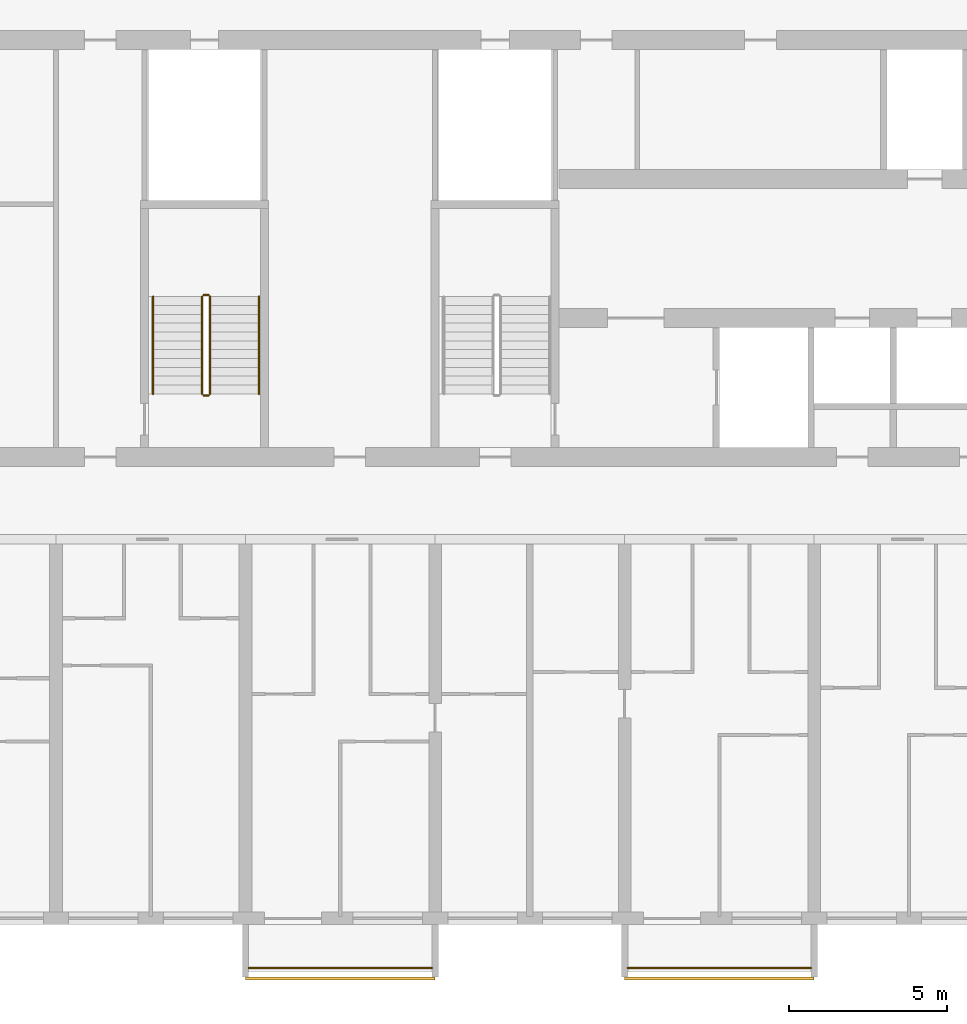
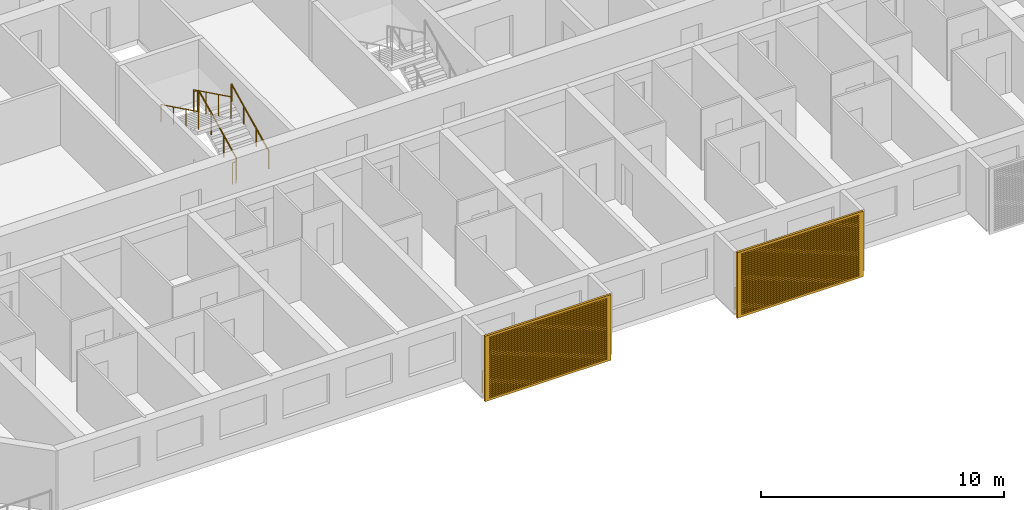
# One storey, part 20 of 23: 8 railings, 2 shading devices.
"""IFC4 building model written with IfcOpenShell, lengths in metres."""

from ifc_helpers import new_model, si_unit, direction, frame, origin, origin_2d, place, context, subcontext, project, spatial, polyline, circle, outline, extrude, source, transform, mapped, material, material_profile, profile_set, type_object, element, save


model = new_model("IFC4")

# Units and contexts
model_context = context("Model", 3, precision=1e-05, world=origin(), true_north=direction((0.0, 1.0)))
body_context = subcontext(model_context, "Body", "Model", "MODEL_VIEW")
ifc_project = project(units=[si_unit("LENGTHUNIT", "METRE"), si_unit("AREAUNIT", "SQUARE_METRE"), si_unit("VOLUMEUNIT", "CUBIC_METRE"), si_unit("PLANEANGLEUNIT", "RADIAN"), si_unit("MASSUNIT", "GRAM", prefix="KILO")], contexts=[model_context])

# Site, building, storey
site_placement = place(None, origin())
site = spatial("IfcSite", under=ifc_project, at=site_placement, CompositionType="ELEMENT")
building_placement = place(site_placement, origin())
building = spatial("IfcBuilding", under=site, at=building_placement, Name="Poui Terraces", CompositionType="ELEMENT")
storey_placement = place(building_placement, frame((0.0, 0.0, 23.39990234375)))
storey = spatial("IfcBuildingStorey", under=building, at=storey_placement, Name="L05", CompositionType="ELEMENT", Elevation=23.39990234375)

# Railings
ifc_material_1 = material(Name="Painted steel fretwork", Category="steel")
railing_type_1 = type_object("IfcRailingType", Name="BALCONY GUARD 1100", PredefinedType="GUARDRAIL", material=ifc_material_1)
for number, where, name in (
    (1, (24.10009765625, -1.570068359375, 0.0), "BALCONY GUARD"),
    (2, (36.10009765625, -1.570068359375, 0.0), "BALCONY GUARD"),
):
    element("IfcRailing", number, at=place(storey_placement, frame(where)), inside=storey, type_object=railing_type_1, Name=name, PredefinedType="GUARDRAIL", context=body_context, shape_type="SweptSolid", body=[
        extrude(circle(Radius=0.02392578125, at=origin_2d()), frame((0.0, 0.0, 1.076171875), z_axis=(1.0, 0.0, 0.0), x_axis=(0.0, 1.0, 0.0)), (0.0, 0.0, 1.0), 5.7998046875),
        extrude(circle(Radius=0.02099609375, at=origin_2d()), origin(), (0.0, 0.0, 1.0), 1.052001953125),
        extrude(circle(Radius=0.02099609375, at=origin_2d()), frame((0.966552734375, 0.0, 0.0)), (0.0, 0.0, 1.0), 1.052001953125),
        extrude(circle(Radius=0.02099609375, at=origin_2d()), frame((1.933349609375, 0.0, 0.0)), (0.0, 0.0, 1.0), 1.052001953125),
        extrude(circle(Radius=0.02099609375, at=origin_2d()), frame((2.89990234375, 0.0, 0.0)), (0.0, 0.0, 1.0), 1.052001953125),
        extrude(circle(Radius=0.02099609375, at=origin_2d()), frame((3.866455078125, 0.0, 0.0)), (0.0, 0.0, 1.0), 1.052001953125),
        extrude(circle(Radius=0.02099609375, at=origin_2d()), frame((4.833251953125, 0.0, 0.0)), (0.0, 0.0, 1.0), 1.052001953125),
        extrude(circle(Radius=0.02099609375, at=origin_2d()), frame((5.7998046875, 0.0, 0.0)), (0.0, 0.0, 1.0), 1.052001953125),
    ])
ifc_material_2 = material(Name="Galvanised steel balustrade", Category="steel")
railing_type_2 = type_object("IfcRailingType", Name="STAIR GUARD 1100", PredefinedType="GUARDRAIL", material=ifc_material_2)
railing_1_placement = place(storey_placement, frame((22.875, 16.60009765625, 0.1376953125)))
element("IfcRailing", 3, at=railing_1_placement, inside=storey, type_object=railing_type_2, Name="L05 ST-W stair guard 1", PredefinedType="GUARDRAIL", context=body_context, shape_type="SweptSolid", body=[
    extrude(circle(Radius=0.02392578125, at=origin_2d()), frame((0.0, 0.0, 1.076171875), z_axis=(0.0, 0.897606190399, 0.440798283751), x_axis=(-1.0, 0.0, 0.0)), (0.0, 0.0, 1.0), 3.43115234375),
    extrude(circle(Radius=0.02099609375, at=origin_2d()), origin(), (0.0, 0.0, 1.0), 1.052001953125),
    extrude(circle(Radius=0.02099609375, at=origin_2d()), frame((0.0, 1.026611328125, 0.504150390625)), (0.0, 0.0, 1.0), 1.052001953125),
    extrude(circle(Radius=0.02099609375, at=origin_2d()), frame((0.0, 2.05322265625, 1.00830078125)), (0.0, 0.0, 1.0), 1.052001953125),
    extrude(circle(Radius=0.02099609375, at=origin_2d()), frame((0.0, 3.079833984375, 1.512451171875)), (0.0, 0.0, 1.0), 1.052001953125),
])
railing_2_placement = place(storey_placement, frame((22.824951171875, 19.72998046875, 1.650146484375)))
element("IfcRailing", 4, at=railing_2_placement, inside=storey, type_object=railing_type_2, Name="L05 ST-W stair guard 2", PredefinedType="GUARDRAIL", context=body_context, shape_type="SweptSolid", body=[
    extrude(circle(Radius=0.02392578125, at=origin_2d()), frame((0.0, 0.0, 1.076171875), z_axis=(-1.0, 0.0, 0.0), x_axis=(0.0, -1.0, 0.0)), (0.0, 0.0, 1.0), 0.14990234375),
    extrude(circle(Radius=0.02099609375, at=origin_2d()), origin(), (0.0, 0.0, 1.0), 1.052001953125),
    extrude(circle(Radius=0.02099609375, at=origin_2d()), frame((-0.14990234375, 0.0, 0.0)), (0.0, 0.0, 1.0), 1.052001953125),
])
railing_3_placement = place(storey_placement, frame((22.625, 19.679931640625, 1.78759765625)))
element("IfcRailing", 5, at=railing_3_placement, inside=storey, type_object=railing_type_2, Name="L05 ST-W stair guard 3", PredefinedType="GUARDRAIL", context=body_context, shape_type="SweptSolid", body=[
    extrude(circle(Radius=0.02392578125, at=origin_2d()), frame((0.0, 0.0, 1.076171875), z_axis=(0.0, -0.897606190399, 0.440798283751), x_axis=(1.0, 0.0, 0.0)), (0.0, 0.0, 1.0), 3.43115234375),
    extrude(circle(Radius=0.02099609375, at=origin_2d()), origin(), (0.0, 0.0, 1.0), 1.052001953125),
    extrude(circle(Radius=0.02099609375, at=origin_2d()), frame((0.0, -1.026611328125, 0.504150390625)), (0.0, 0.0, 1.0), 1.052001953125),
    extrude(circle(Radius=0.02099609375, at=origin_2d()), frame((0.0, -2.05322265625, 1.00830078125)), (0.0, 0.0, 1.0), 1.052001953125),
    extrude(circle(Radius=0.02099609375, at=origin_2d()), frame((0.0, -3.079833984375, 1.512451171875)), (0.0, 0.0, 1.0), 1.052001953125),
])
railing_4_placement = place(storey_placement, frame((22.824951171875, 16.550048828125, 0.0)))
element("IfcRailing", 6, at=railing_4_placement, inside=storey, type_object=railing_type_2, Name="L05 ST-W stair guard 4", PredefinedType="GUARDRAIL", context=body_context, shape_type="SweptSolid", body=[
    extrude(circle(Radius=0.02392578125, at=origin_2d()), frame((0.0, 0.0, 1.076171875), z_axis=(-1.0, 0.0, 0.0), x_axis=(0.0, -1.0, 0.0)), (0.0, 0.0, 1.0), 0.14990234375),
    extrude(circle(Radius=0.02099609375, at=origin_2d()), origin(), (0.0, 0.0, 1.0), 1.052001953125),
    extrude(circle(Radius=0.02099609375, at=origin_2d()), frame((-0.14990234375, 0.0, 0.0)), (0.0, 0.0, 1.0), 1.052001953125),
])
ifc_material_3 = material(Name="Stainless steel handrail", Category="steel")
railing_type_3 = type_object("IfcRailingType", Name="STAIR HANDRAIL 900", PredefinedType="HANDRAIL", material=ifc_material_3)
railing_5_placement = place(storey_placement, frame((24.425048828125, 16.60009765625, 0.1376953125)))
element("IfcRailing", 7, at=railing_5_placement, inside=storey, type_object=railing_type_3, Name="L05 ST-W stair handrail 1", PredefinedType="HANDRAIL", context=body_context, shape_type="SweptSolid", body=[
    extrude(circle(Radius=0.02392578125, at=origin_2d()), frame((0.0, 0.0, 0.8759765625), z_axis=(0.0, 0.897606190399, 0.440798283751), x_axis=(-1.0, 0.0, 0.0)), (0.0, 0.0, 1.0), 3.43115234375),
    extrude(circle(Radius=0.02099609375, at=origin_2d()), origin(), (0.0, 0.0, 1.0), 0.851806640625),
    extrude(circle(Radius=0.02099609375, at=origin_2d()), frame((0.0, 1.026611328125, 0.504150390625)), (0.0, 0.0, 1.0), 0.851806640625),
    extrude(circle(Radius=0.02099609375, at=origin_2d()), frame((0.0, 2.05322265625, 1.00830078125)), (0.0, 0.0, 1.0), 0.851806640625),
    extrude(circle(Radius=0.02099609375, at=origin_2d()), frame((0.0, 3.079833984375, 1.512451171875)), (0.0, 0.0, 1.0), 0.851806640625),
])
railing_6_placement = place(storey_placement, frame((21.074951171875, 19.679931640625, 1.78759765625)))
element("IfcRailing", 8, at=railing_6_placement, inside=storey, type_object=railing_type_3, Name="L05 ST-W stair handrail 2", PredefinedType="HANDRAIL", context=body_context, shape_type="SweptSolid", body=[
    extrude(circle(Radius=0.02392578125, at=origin_2d()), frame((0.0, 0.0, 0.8759765625), z_axis=(0.0, -0.897606190399, 0.440798283751), x_axis=(1.0, 0.0, 0.0)), (0.0, 0.0, 1.0), 3.43115234375),
    extrude(circle(Radius=0.02099609375, at=origin_2d()), origin(), (0.0, 0.0, 1.0), 0.851806640625),
    extrude(circle(Radius=0.02099609375, at=origin_2d()), frame((0.0, -1.026611328125, 0.504150390625)), (0.0, 0.0, 1.0), 0.851806640625),
    extrude(circle(Radius=0.02099609375, at=origin_2d()), frame((0.0, -2.05322265625, 1.00830078125)), (0.0, 0.0, 1.0), 0.851806640625),
    extrude(circle(Radius=0.02099609375, at=origin_2d()), frame((0.0, -3.079833984375, 1.512451171875)), (0.0, 0.0, 1.0), 0.851806640625),
])

# Shading devices
ifc_material_4 = material(Name="Aluminium louvre", Category="aluminium")
ifc_material_profile = material_profile(ifc_material_4, outline(polyline([(-3.0, -1.64990234375), (3.0, -1.64990234375), (3.0, 1.64990234375), (-3.0, 1.64990234375), (-3.0, -1.64990234375)]), holes=[polyline([(-2.800048828125, -1.530029296875), (2.800048828125, -1.530029296875), (2.800048828125, -1.469970703125), (-2.800048828125, -1.469970703125), (-2.800048828125, -1.530029296875)]), polyline([(-2.800048828125, -1.429931640625), (2.800048828125, -1.429931640625), (2.800048828125, -1.3701171875), (-2.800048828125, -1.3701171875), (-2.800048828125, -1.429931640625)]), polyline([(-2.800048828125, -1.330078125), (2.800048828125, -1.330078125), (2.800048828125, -1.27001953125), (-2.800048828125, -1.27001953125), (-2.800048828125, -1.330078125)]), polyline([(-2.800048828125, -1.22998046875), (2.800048828125, -1.22998046875), (2.800048828125, -1.169921875), (-2.800048828125, -1.169921875), (-2.800048828125, -1.22998046875)]), polyline([(-2.800048828125, -1.1298828125), (2.800048828125, -1.1298828125), (2.800048828125, -1.070068359375), (-2.800048828125, -1.070068359375), (-2.800048828125, -1.1298828125)]), polyline([(-2.800048828125, -1.030029296875), (2.800048828125, -1.030029296875), (2.800048828125, -0.969970703125), (-2.800048828125, -0.969970703125), (-2.800048828125, -1.030029296875)]), polyline([(-2.800048828125, -0.929931640625), (2.800048828125, -0.929931640625), (2.800048828125, -0.8701171875), (-2.800048828125, -0.8701171875), (-2.800048828125, -0.929931640625)]), polyline([(-2.800048828125, -0.830078125), (2.800048828125, -0.830078125), (2.800048828125, -0.77001953125), (-2.800048828125, -0.77001953125), (-2.800048828125, -0.830078125)]), polyline([(-2.800048828125, -0.72998046875), (2.800048828125, -0.72998046875), (2.800048828125, -0.669921875), (-2.800048828125, -0.669921875), (-2.800048828125, -0.72998046875)]), polyline([(-2.800048828125, -0.6298828125), (2.800048828125, -0.6298828125), (2.800048828125, -0.570068359375), (-2.800048828125, -0.570068359375), (-2.800048828125, -0.6298828125)]), polyline([(-2.800048828125, -0.530029296875), (2.800048828125, -0.530029296875), (2.800048828125, -0.469970703125), (-2.800048828125, -0.469970703125), (-2.800048828125, -0.530029296875)]), polyline([(-2.800048828125, -0.429931640625), (2.800048828125, -0.429931640625), (2.800048828125, -0.3701171875), (-2.800048828125, -0.3701171875), (-2.800048828125, -0.429931640625)]), polyline([(-2.800048828125, -0.330078125), (2.800048828125, -0.330078125), (2.800048828125, -0.27001953125), (-2.800048828125, -0.27001953125), (-2.800048828125, -0.330078125)]), polyline([(-2.800048828125, -0.22998046875), (2.800048828125, -0.22998046875), (2.800048828125, -0.169921875), (-2.800048828125, -0.169921875), (-2.800048828125, -0.22998046875)]), polyline([(-2.800048828125, -0.1298828125), (2.800048828125, -0.1298828125), (2.800048828125, -0.070068359375), (-2.800048828125, -0.070068359375), (-2.800048828125, -0.1298828125)]), polyline([(-2.800048828125, -0.030029296875), (2.800048828125, -0.030029296875), (2.800048828125, 0.030029296875), (-2.800048828125, 0.030029296875), (-2.800048828125, -0.030029296875)]), polyline([(-2.800048828125, 0.070068359375), (2.800048828125, 0.070068359375), (2.800048828125, 0.1298828125), (-2.800048828125, 0.1298828125), (-2.800048828125, 0.070068359375)]), polyline([(-2.800048828125, 0.169921875), (2.800048828125, 0.169921875), (2.800048828125, 0.22998046875), (-2.800048828125, 0.22998046875), (-2.800048828125, 0.169921875)]), polyline([(-2.800048828125, 0.27001953125), (2.800048828125, 0.27001953125), (2.800048828125, 0.330078125), (-2.800048828125, 0.330078125), (-2.800048828125, 0.27001953125)]), polyline([(-2.800048828125, 0.3701171875), (2.800048828125, 0.3701171875), (2.800048828125, 0.429931640625), (-2.800048828125, 0.429931640625), (-2.800048828125, 0.3701171875)]), polyline([(-2.800048828125, 0.469970703125), (2.800048828125, 0.469970703125), (2.800048828125, 0.530029296875), (-2.800048828125, 0.530029296875), (-2.800048828125, 0.469970703125)]), polyline([(-2.800048828125, 0.570068359375), (2.800048828125, 0.570068359375), (2.800048828125, 0.6298828125), (-2.800048828125, 0.6298828125), (-2.800048828125, 0.570068359375)]), polyline([(-2.800048828125, 0.669921875), (2.800048828125, 0.669921875), (2.800048828125, 0.72998046875), (-2.800048828125, 0.72998046875), (-2.800048828125, 0.669921875)]), polyline([(-2.800048828125, 0.77001953125), (2.800048828125, 0.77001953125), (2.800048828125, 0.830078125), (-2.800048828125, 0.830078125), (-2.800048828125, 0.77001953125)]), polyline([(-2.800048828125, 0.8701171875), (2.800048828125, 0.8701171875), (2.800048828125, 0.929931640625), (-2.800048828125, 0.929931640625), (-2.800048828125, 0.8701171875)]), polyline([(-2.800048828125, 0.969970703125), (2.800048828125, 0.969970703125), (2.800048828125, 1.030029296875), (-2.800048828125, 1.030029296875), (-2.800048828125, 0.969970703125)]), polyline([(-2.800048828125, 1.070068359375), (2.800048828125, 1.070068359375), (2.800048828125, 1.1298828125), (-2.800048828125, 1.1298828125), (-2.800048828125, 1.070068359375)]), polyline([(-2.800048828125, 1.169921875), (2.800048828125, 1.169921875), (2.800048828125, 1.22998046875), (-2.800048828125, 1.22998046875), (-2.800048828125, 1.169921875)]), polyline([(-2.800048828125, 1.27001953125), (2.800048828125, 1.27001953125), (2.800048828125, 1.330078125), (-2.800048828125, 1.330078125), (-2.800048828125, 1.27001953125)]), polyline([(-2.800048828125, 1.3701171875), (2.800048828125, 1.3701171875), (2.800048828125, 1.429931640625), (-2.800048828125, 1.429931640625), (-2.800048828125, 1.3701171875)]), polyline([(-2.800048828125, 1.469970703125), (2.800048828125, 1.469970703125), (2.800048828125, 1.530029296875), (-2.800048828125, 1.530029296875), (-2.800048828125, 1.469970703125)])]), Name="JALOUSIE LOUVRE SHUTTER 6000X3300")
ifc_profile_set = profile_set([ifc_material_profile], Name="Aluminium louvre")
shading_device_type = type_object("IfcShadingDeviceType", Name="JALOUSIE LOUVRE SHUTTER 6000X3300", PredefinedType="JALOUSIE", material=ifc_profile_set)
shared_shape = source(origin(), body_context, "Body", "SweptSolid", [
    extrude(outline(polyline([(-3.0, -1.64990234375), (3.0, -1.64990234375), (3.0, 1.64990234375), (-3.0, 1.64990234375), (-3.0, -1.64990234375)]), holes=[polyline([(-2.800048828125, -1.530029296875), (2.800048828125, -1.530029296875), (2.800048828125, -1.469970703125), (-2.800048828125, -1.469970703125), (-2.800048828125, -1.530029296875)]), polyline([(-2.800048828125, -1.429931640625), (2.800048828125, -1.429931640625), (2.800048828125, -1.3701171875), (-2.800048828125, -1.3701171875), (-2.800048828125, -1.429931640625)]), polyline([(-2.800048828125, -1.330078125), (2.800048828125, -1.330078125), (2.800048828125, -1.27001953125), (-2.800048828125, -1.27001953125), (-2.800048828125, -1.330078125)]), polyline([(-2.800048828125, -1.22998046875), (2.800048828125, -1.22998046875), (2.800048828125, -1.169921875), (-2.800048828125, -1.169921875), (-2.800048828125, -1.22998046875)]), polyline([(-2.800048828125, -1.1298828125), (2.800048828125, -1.1298828125), (2.800048828125, -1.070068359375), (-2.800048828125, -1.070068359375), (-2.800048828125, -1.1298828125)]), polyline([(-2.800048828125, -1.030029296875), (2.800048828125, -1.030029296875), (2.800048828125, -0.969970703125), (-2.800048828125, -0.969970703125), (-2.800048828125, -1.030029296875)]), polyline([(-2.800048828125, -0.929931640625), (2.800048828125, -0.929931640625), (2.800048828125, -0.8701171875), (-2.800048828125, -0.8701171875), (-2.800048828125, -0.929931640625)]), polyline([(-2.800048828125, -0.830078125), (2.800048828125, -0.830078125), (2.800048828125, -0.77001953125), (-2.800048828125, -0.77001953125), (-2.800048828125, -0.830078125)]), polyline([(-2.800048828125, -0.72998046875), (2.800048828125, -0.72998046875), (2.800048828125, -0.669921875), (-2.800048828125, -0.669921875), (-2.800048828125, -0.72998046875)]), polyline([(-2.800048828125, -0.6298828125), (2.800048828125, -0.6298828125), (2.800048828125, -0.570068359375), (-2.800048828125, -0.570068359375), (-2.800048828125, -0.6298828125)]), polyline([(-2.800048828125, -0.530029296875), (2.800048828125, -0.530029296875), (2.800048828125, -0.469970703125), (-2.800048828125, -0.469970703125), (-2.800048828125, -0.530029296875)]), polyline([(-2.800048828125, -0.429931640625), (2.800048828125, -0.429931640625), (2.800048828125, -0.3701171875), (-2.800048828125, -0.3701171875), (-2.800048828125, -0.429931640625)]), polyline([(-2.800048828125, -0.330078125), (2.800048828125, -0.330078125), (2.800048828125, -0.27001953125), (-2.800048828125, -0.27001953125), (-2.800048828125, -0.330078125)]), polyline([(-2.800048828125, -0.22998046875), (2.800048828125, -0.22998046875), (2.800048828125, -0.169921875), (-2.800048828125, -0.169921875), (-2.800048828125, -0.22998046875)]), polyline([(-2.800048828125, -0.1298828125), (2.800048828125, -0.1298828125), (2.800048828125, -0.070068359375), (-2.800048828125, -0.070068359375), (-2.800048828125, -0.1298828125)]), polyline([(-2.800048828125, -0.030029296875), (2.800048828125, -0.030029296875), (2.800048828125, 0.030029296875), (-2.800048828125, 0.030029296875), (-2.800048828125, -0.030029296875)]), polyline([(-2.800048828125, 0.070068359375), (2.800048828125, 0.070068359375), (2.800048828125, 0.1298828125), (-2.800048828125, 0.1298828125), (-2.800048828125, 0.070068359375)]), polyline([(-2.800048828125, 0.169921875), (2.800048828125, 0.169921875), (2.800048828125, 0.22998046875), (-2.800048828125, 0.22998046875), (-2.800048828125, 0.169921875)]), polyline([(-2.800048828125, 0.27001953125), (2.800048828125, 0.27001953125), (2.800048828125, 0.330078125), (-2.800048828125, 0.330078125), (-2.800048828125, 0.27001953125)]), polyline([(-2.800048828125, 0.3701171875), (2.800048828125, 0.3701171875), (2.800048828125, 0.429931640625), (-2.800048828125, 0.429931640625), (-2.800048828125, 0.3701171875)]), polyline([(-2.800048828125, 0.469970703125), (2.800048828125, 0.469970703125), (2.800048828125, 0.530029296875), (-2.800048828125, 0.530029296875), (-2.800048828125, 0.469970703125)]), polyline([(-2.800048828125, 0.570068359375), (2.800048828125, 0.570068359375), (2.800048828125, 0.6298828125), (-2.800048828125, 0.6298828125), (-2.800048828125, 0.570068359375)]), polyline([(-2.800048828125, 0.669921875), (2.800048828125, 0.669921875), (2.800048828125, 0.72998046875), (-2.800048828125, 0.72998046875), (-2.800048828125, 0.669921875)]), polyline([(-2.800048828125, 0.77001953125), (2.800048828125, 0.77001953125), (2.800048828125, 0.830078125), (-2.800048828125, 0.830078125), (-2.800048828125, 0.77001953125)]), polyline([(-2.800048828125, 0.8701171875), (2.800048828125, 0.8701171875), (2.800048828125, 0.929931640625), (-2.800048828125, 0.929931640625), (-2.800048828125, 0.8701171875)]), polyline([(-2.800048828125, 0.969970703125), (2.800048828125, 0.969970703125), (2.800048828125, 1.030029296875), (-2.800048828125, 1.030029296875), (-2.800048828125, 0.969970703125)]), polyline([(-2.800048828125, 1.070068359375), (2.800048828125, 1.070068359375), (2.800048828125, 1.1298828125), (-2.800048828125, 1.1298828125), (-2.800048828125, 1.070068359375)]), polyline([(-2.800048828125, 1.169921875), (2.800048828125, 1.169921875), (2.800048828125, 1.22998046875), (-2.800048828125, 1.22998046875), (-2.800048828125, 1.169921875)]), polyline([(-2.800048828125, 1.27001953125), (2.800048828125, 1.27001953125), (2.800048828125, 1.330078125), (-2.800048828125, 1.330078125), (-2.800048828125, 1.27001953125)]), polyline([(-2.800048828125, 1.3701171875), (2.800048828125, 1.3701171875), (2.800048828125, 1.429931640625), (-2.800048828125, 1.429931640625), (-2.800048828125, 1.3701171875)]), polyline([(-2.800048828125, 1.469970703125), (2.800048828125, 1.469970703125), (2.800048828125, 1.530029296875), (-2.800048828125, 1.530029296875), (-2.800048828125, 1.469970703125)])]), origin(), (0.0, 0.0, 1.0), 0.099853515625),
])
for number, where, z_axis, x_axis, name in (
    (9, (27.0, -1.85009765625, 1.4501953125), (0.0, -1.0, 0.0), (1.0, 0.0, 0.0), "JALOUSIE LOUVRE SHUTTER"),
    (10, (39.0, -1.85009765625, 1.4501953125), (0.0, -1.0, 0.0), (1.0, 0.0, 0.0), "JALOUSIE LOUVRE SHUTTER"),
):
    element("IfcShadingDevice", number, at=place(storey_placement, frame(where, z_axis=z_axis, x_axis=x_axis)), inside=storey, type_object=shading_device_type, Name=name, PredefinedType="JALOUSIE", context=body_context, shape_type="MappedRepresentation", body=[
        mapped(shared_shape, transform((0.0, 0.0, 0.0))),
    ])

save(model, "model.ifc")
